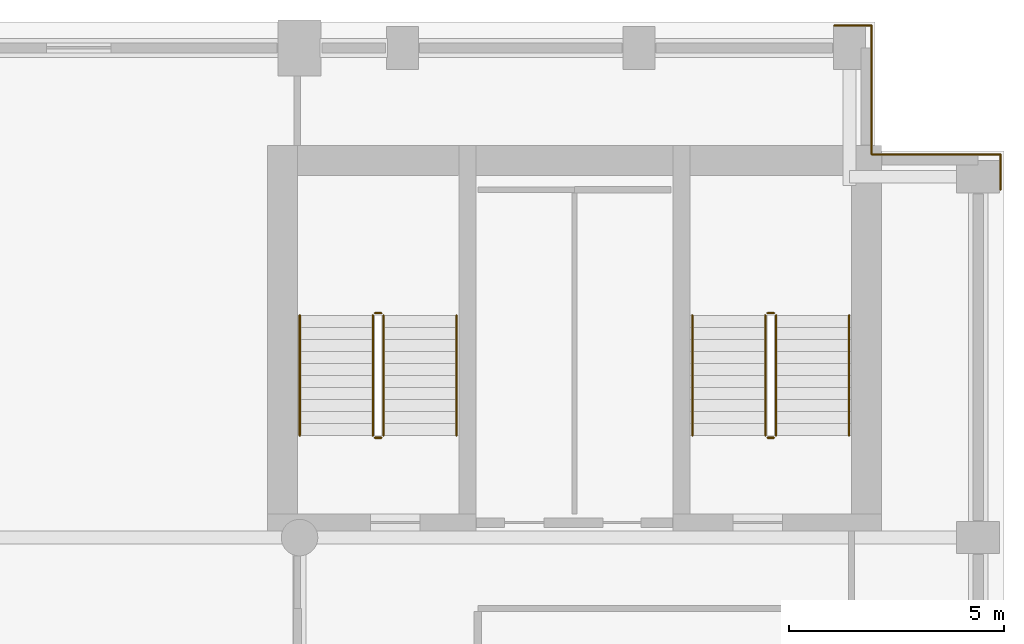
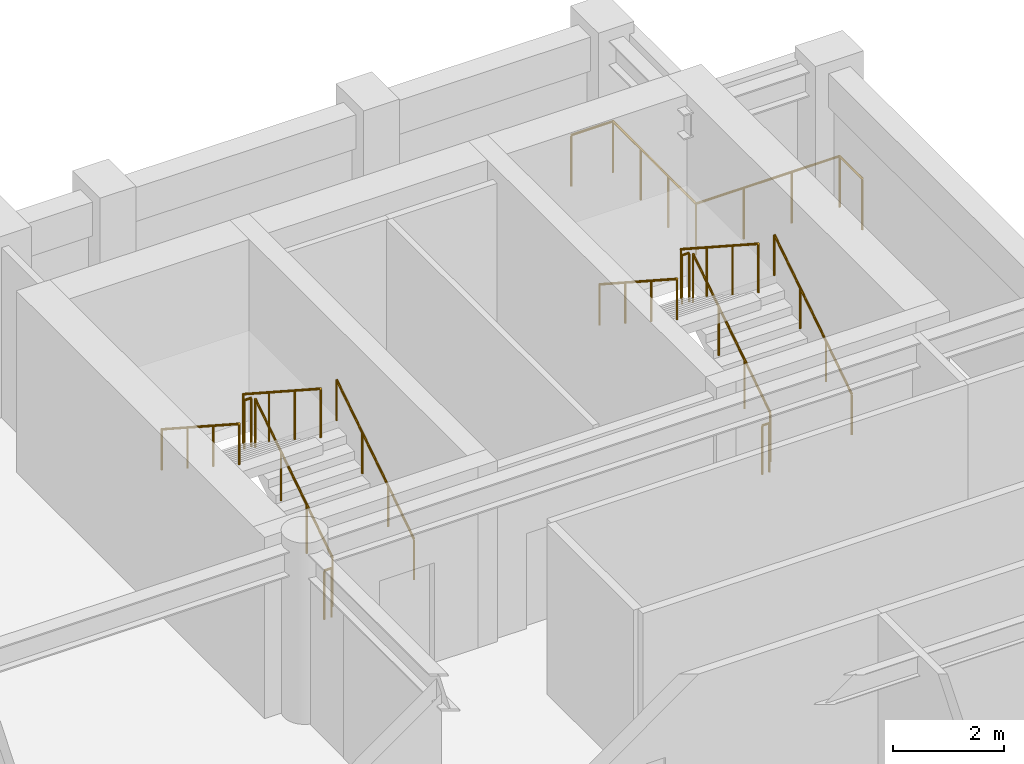
# One storey, part 9 of 9: 16 railings.
"""IFC4 building model written with IfcOpenShell, lengths in metres."""

from ifc_helpers import new_model, si_unit, direction, frame, origin, origin_2d, place, context, subcontext, project, spatial, circle, extrude, material, type_object, element, save


model = new_model("IFC4")

# Units and contexts
model_context = context("Model", 3, precision=1e-05, world=origin(), true_north=direction((0.0, 1.0)))
body_context = subcontext(model_context, "Body", "Model", "MODEL_VIEW")
ifc_project = project(units=[si_unit("LENGTHUNIT", "METRE"), si_unit("AREAUNIT", "SQUARE_METRE"), si_unit("VOLUMEUNIT", "CUBIC_METRE"), si_unit("PLANEANGLEUNIT", "RADIAN"), si_unit("MASSUNIT", "GRAM", prefix="KILO")], contexts=[model_context])

# Site, building, storey
site_placement = place(None, origin())
site = spatial("IfcSite", under=ifc_project, at=site_placement, CompositionType="ELEMENT")
building_placement = place(site_placement, origin())
building = spatial("IfcBuilding", under=site, at=building_placement, Name="Sulina Concourse Tower", CompositionType="ELEMENT")
storey_placement = place(building_placement, frame((0.0, 0.0, 268.60009765625)))
storey = spatial("IfcBuildingStorey", under=building, at=storey_placement, Name="L65", CompositionType="ELEMENT", Elevation=268.60009765625)

# Railings
ifc_material_1 = material(Name="Galvanised steel railing", Category="steel")
railing_type_1 = type_object("IfcRailingType", Name="Core Stair Steel Guardrail 1150mm", PredefinedType="GUARDRAIL", material=ifc_material_1)
railing_1_placement = place(storey_placement, frame((54.050048828125, 45.919921875, 0.0)))
element("IfcRailing", 1, at=railing_1_placement, inside=storey, type_object=railing_type_1, Name="L65 perimeter edge safety guardrail NE1", PredefinedType="GUARDRAIL", context=body_context, shape_type="SweptSolid", body=[
    extrude(circle(Radius=0.02392578125, at=origin_2d()), frame((0.0, 0.0, 1.1259765625), z_axis=(1.0, 0.0, 0.0), x_axis=(0.0, 1.0, 0.0)), (0.0, 0.0, 1.0), 0.869873046875),
    extrude(circle(Radius=0.02099609375, at=origin_2d()), origin(), (0.0, 0.0, 1.0), 1.101806640625),
    extrude(circle(Radius=0.02099609375, at=origin_2d()), frame((0.869873046875, 0.0, 0.0)), (0.0, 0.0, 1.0), 1.101806640625),
])
railing_2_placement = place(storey_placement, frame((54.919921875, 45.919921875, 0.0)))
element("IfcRailing", 2, at=railing_2_placement, inside=storey, type_object=railing_type_1, Name="L65 perimeter edge safety guardrail NE2", PredefinedType="GUARDRAIL", context=body_context, shape_type="SweptSolid", body=[
    extrude(circle(Radius=0.02392578125, at=origin_2d()), frame((0.0, 0.0, 1.1259765625), z_axis=(0.0, -1.0, 0.0), x_axis=(1.0, 0.0, 0.0)), (0.0, 0.0, 1.0), 3.0),
    extrude(circle(Radius=0.02099609375, at=origin_2d()), origin(), (0.0, 0.0, 1.0), 1.101806640625),
    extrude(circle(Radius=0.02099609375, at=origin_2d()), frame((0.0, -1.0, 0.0)), (0.0, 0.0, 1.0), 1.101806640625),
    extrude(circle(Radius=0.02099609375, at=origin_2d()), frame((0.0, -2.0, 0.0)), (0.0, 0.0, 1.0), 1.101806640625),
    extrude(circle(Radius=0.02099609375, at=origin_2d()), frame((0.0, -3.0, 0.0)), (0.0, 0.0, 1.0), 1.101806640625),
])
railing_3_placement = place(storey_placement, frame((54.919921875, 42.919921875, 0.0)))
element("IfcRailing", 3, at=railing_3_placement, inside=storey, type_object=railing_type_1, Name="L65 perimeter edge safety guardrail NE3", PredefinedType="GUARDRAIL", context=body_context, shape_type="SweptSolid", body=[
    extrude(circle(Radius=0.02392578125, at=origin_2d()), frame((0.0, 0.0, 1.1259765625), z_axis=(1.0, 0.0, 0.0), x_axis=(0.0, 1.0, 0.0)), (0.0, 0.0, 1.0), 3.0),
    extrude(circle(Radius=0.02099609375, at=origin_2d()), origin(), (0.0, 0.0, 1.0), 1.101806640625),
    extrude(circle(Radius=0.02099609375, at=origin_2d()), frame((1.0, 0.0, 0.0)), (0.0, 0.0, 1.0), 1.101806640625),
    extrude(circle(Radius=0.02099609375, at=origin_2d()), frame((2.0, 0.0, 0.0)), (0.0, 0.0, 1.0), 1.101806640625),
    extrude(circle(Radius=0.02099609375, at=origin_2d()), frame((3.0, 0.0, 0.0)), (0.0, 0.0, 1.0), 1.101806640625),
])
railing_4_placement = place(storey_placement, frame((57.919921875, 42.919921875, 0.0)))
element("IfcRailing", 4, at=railing_4_placement, inside=storey, type_object=railing_type_1, Name="L65 perimeter edge safety guardrail NE4", PredefinedType="GUARDRAIL", context=body_context, shape_type="SweptSolid", body=[
    extrude(circle(Radius=0.02392578125, at=origin_2d()), frame((0.0, 0.0, 1.1259765625), z_axis=(0.0, -1.0, 0.0), x_axis=(1.0, 0.0, 0.0)), (0.0, 0.0, 1.0), 0.81982421875),
    extrude(circle(Radius=0.02099609375, at=origin_2d()), origin(), (0.0, 0.0, 1.0), 1.101806640625),
    extrude(circle(Radius=0.02099609375, at=origin_2d()), frame((0.0, -0.81982421875, 0.0)), (0.0, 0.0, 1.0), 1.101806640625),
])
railing_5_placement = place(storey_placement, frame((43.554931640625, 36.375, 0.181640625)))
element("IfcRailing", 5, at=railing_5_placement, inside=storey, type_object=railing_type_1, Name="L65 ST-3 stair guard 1", PredefinedType="GUARDRAIL", context=body_context, shape_type="SweptSolid", body=[
    extrude(circle(Radius=0.02392578125, at=origin_2d()), frame((0.0, 0.0, 1.076171875), z_axis=(0.0, 0.838672427954, 0.544636170843), x_axis=(-1.0, 0.0, 0.0)), (0.0, 0.0, 1.0), 3.338623046875),
    extrude(circle(Radius=0.02099609375, at=origin_2d()), origin(), (0.0, 0.0, 1.0), 1.052001953125),
    extrude(circle(Radius=0.02099609375, at=origin_2d()), frame((0.0, 0.933349609375, 0.606201171875)), (0.0, 0.0, 1.0), 1.052001953125),
    extrude(circle(Radius=0.02099609375, at=origin_2d()), frame((0.0, 1.86669921875, 1.212158203125)), (0.0, 0.0, 1.0), 1.052001953125),
    extrude(circle(Radius=0.02099609375, at=origin_2d()), frame((0.0, 2.800048828125, 1.818359375)), (0.0, 0.0, 1.0), 1.052001953125),
])
railing_6_placement = place(storey_placement, frame((43.5048828125, 39.22509765625, 2.0)))
element("IfcRailing", 6, at=railing_6_placement, inside=storey, type_object=railing_type_1, Name="L65 ST-3 stair guard 2", PredefinedType="GUARDRAIL", context=body_context, shape_type="SweptSolid", body=[
    extrude(circle(Radius=0.02392578125, at=origin_2d()), frame((0.0, 0.0, 1.076171875), z_axis=(-1.0, 0.0, 0.0), x_axis=(0.0, -1.0, 0.0)), (0.0, 0.0, 1.0), 0.14990234375),
    extrude(circle(Radius=0.02099609375, at=origin_2d()), origin(), (0.0, 0.0, 1.0), 1.052001953125),
    extrude(circle(Radius=0.02099609375, at=origin_2d()), frame((-0.14990234375, 0.0, 0.0)), (0.0, 0.0, 1.0), 1.052001953125),
])
railing_7_placement = place(storey_placement, frame((43.304931640625, 39.175048828125, 2.181640625)))
element("IfcRailing", 7, at=railing_7_placement, inside=storey, type_object=railing_type_1, Name="L65 ST-3 stair guard 3", PredefinedType="GUARDRAIL", context=body_context, shape_type="SweptSolid", body=[
    extrude(circle(Radius=0.02392578125, at=origin_2d()), frame((0.0, 0.0, 1.076171875), z_axis=(0.0, -0.838672427954, 0.544636170843), x_axis=(1.0, 0.0, 0.0)), (0.0, 0.0, 1.0), 3.338623046875),
    extrude(circle(Radius=0.02099609375, at=origin_2d()), origin(), (0.0, 0.0, 1.0), 1.052001953125),
    extrude(circle(Radius=0.02099609375, at=origin_2d()), frame((0.0, -0.933349609375, 0.606201171875)), (0.0, 0.0, 1.0), 1.052001953125),
    extrude(circle(Radius=0.02099609375, at=origin_2d()), frame((0.0, -1.86669921875, 1.212158203125)), (0.0, 0.0, 1.0), 1.052001953125),
    extrude(circle(Radius=0.02099609375, at=origin_2d()), frame((0.0, -2.800048828125, 1.818359375)), (0.0, 0.0, 1.0), 1.052001953125),
])
railing_8_placement = place(storey_placement, frame((43.5048828125, 36.324951171875, 0.0)))
element("IfcRailing", 8, at=railing_8_placement, inside=storey, type_object=railing_type_1, Name="L65 ST-3 stair guard 4", PredefinedType="GUARDRAIL", context=body_context, shape_type="SweptSolid", body=[
    extrude(circle(Radius=0.02392578125, at=origin_2d()), frame((0.0, 0.0, 1.076171875), z_axis=(-1.0, 0.0, 0.0), x_axis=(0.0, -1.0, 0.0)), (0.0, 0.0, 1.0), 0.14990234375),
    extrude(circle(Radius=0.02099609375, at=origin_2d()), origin(), (0.0, 0.0, 1.0), 1.052001953125),
    extrude(circle(Radius=0.02099609375, at=origin_2d()), frame((-0.14990234375, 0.0, 0.0)), (0.0, 0.0, 1.0), 1.052001953125),
])
railing_9_placement = place(storey_placement, frame((52.695068359375, 36.375, 0.181640625)))
element("IfcRailing", 9, at=railing_9_placement, inside=storey, type_object=railing_type_1, Name="L65 ST-4 stair guard 1", PredefinedType="GUARDRAIL", context=body_context, shape_type="SweptSolid", body=[
    extrude(circle(Radius=0.02392578125, at=origin_2d()), frame((0.0, 0.0, 1.076171875), z_axis=(0.0, 0.838672427954, 0.544636170843), x_axis=(-1.0, 0.0, 0.0)), (0.0, 0.0, 1.0), 3.338623046875),
    extrude(circle(Radius=0.02099609375, at=origin_2d()), origin(), (0.0, 0.0, 1.0), 1.052001953125),
    extrude(circle(Radius=0.02099609375, at=origin_2d()), frame((0.0, 0.933349609375, 0.606201171875)), (0.0, 0.0, 1.0), 1.052001953125),
    extrude(circle(Radius=0.02099609375, at=origin_2d()), frame((0.0, 1.86669921875, 1.212158203125)), (0.0, 0.0, 1.0), 1.052001953125),
    extrude(circle(Radius=0.02099609375, at=origin_2d()), frame((0.0, 2.800048828125, 1.818359375)), (0.0, 0.0, 1.0), 1.052001953125),
])
railing_10_placement = place(storey_placement, frame((52.64501953125, 39.22509765625, 2.0)))
element("IfcRailing", 10, at=railing_10_placement, inside=storey, type_object=railing_type_1, Name="L65 ST-4 stair guard 2", PredefinedType="GUARDRAIL", context=body_context, shape_type="SweptSolid", body=[
    extrude(circle(Radius=0.02392578125, at=origin_2d()), frame((0.0, 0.0, 1.076171875), z_axis=(-1.0, 0.0, 0.0), x_axis=(0.0, -1.0, 0.0)), (0.0, 0.0, 1.0), 0.14990234375),
    extrude(circle(Radius=0.02099609375, at=origin_2d()), origin(), (0.0, 0.0, 1.0), 1.052001953125),
    extrude(circle(Radius=0.02099609375, at=origin_2d()), frame((-0.14990234375, 0.0, 0.0)), (0.0, 0.0, 1.0), 1.052001953125),
])
railing_11_placement = place(storey_placement, frame((52.445068359375, 39.175048828125, 2.181640625)))
element("IfcRailing", 11, at=railing_11_placement, inside=storey, type_object=railing_type_1, Name="L65 ST-4 stair guard 3", PredefinedType="GUARDRAIL", context=body_context, shape_type="SweptSolid", body=[
    extrude(circle(Radius=0.02392578125, at=origin_2d()), frame((0.0, 0.0, 1.076171875), z_axis=(0.0, -0.838672427954, 0.544636170843), x_axis=(1.0, 0.0, 0.0)), (0.0, 0.0, 1.0), 3.338623046875),
    extrude(circle(Radius=0.02099609375, at=origin_2d()), origin(), (0.0, 0.0, 1.0), 1.052001953125),
    extrude(circle(Radius=0.02099609375, at=origin_2d()), frame((0.0, -0.933349609375, 0.606201171875)), (0.0, 0.0, 1.0), 1.052001953125),
    extrude(circle(Radius=0.02099609375, at=origin_2d()), frame((0.0, -1.86669921875, 1.212158203125)), (0.0, 0.0, 1.0), 1.052001953125),
    extrude(circle(Radius=0.02099609375, at=origin_2d()), frame((0.0, -2.800048828125, 1.818359375)), (0.0, 0.0, 1.0), 1.052001953125),
])
railing_12_placement = place(storey_placement, frame((52.64501953125, 36.324951171875, 0.0)))
element("IfcRailing", 12, at=railing_12_placement, inside=storey, type_object=railing_type_1, Name="L65 ST-4 stair guard 4", PredefinedType="GUARDRAIL", context=body_context, shape_type="SweptSolid", body=[
    extrude(circle(Radius=0.02392578125, at=origin_2d()), frame((0.0, 0.0, 1.076171875), z_axis=(-1.0, 0.0, 0.0), x_axis=(0.0, -1.0, 0.0)), (0.0, 0.0, 1.0), 0.14990234375),
    extrude(circle(Radius=0.02099609375, at=origin_2d()), origin(), (0.0, 0.0, 1.0), 1.052001953125),
    extrude(circle(Radius=0.02099609375, at=origin_2d()), frame((-0.14990234375, 0.0, 0.0)), (0.0, 0.0, 1.0), 1.052001953125),
])
ifc_material_2 = material(Name="Galvanised steel railing", Category="steel")
railing_type_2 = type_object("IfcRailingType", Name="Stair Wall Steel Handrail 920mm", PredefinedType="HANDRAIL", material=ifc_material_2)
railing_13_placement = place(storey_placement, frame((45.2548828125, 36.375, 0.181640625)))
element("IfcRailing", 13, at=railing_13_placement, inside=storey, type_object=railing_type_2, Name="L65 ST-3 stair handrail 1", PredefinedType="HANDRAIL", context=body_context, shape_type="SweptSolid", body=[
    extrude(circle(Radius=0.02392578125, at=origin_2d()), frame((0.0, 0.0, 0.89599609375), z_axis=(0.0, 0.838672427954, 0.544636170843), x_axis=(-1.0, 0.0, 0.0)), (0.0, 0.0, 1.0), 3.338623046875),
    extrude(circle(Radius=0.02099609375, at=origin_2d()), origin(), (0.0, 0.0, 1.0), 0.871826171875),
    extrude(circle(Radius=0.02099609375, at=origin_2d()), frame((0.0, 0.933349609375, 0.606201171875)), (0.0, 0.0, 1.0), 0.871826171875),
    extrude(circle(Radius=0.02099609375, at=origin_2d()), frame((0.0, 1.86669921875, 1.212158203125)), (0.0, 0.0, 1.0), 0.871826171875),
    extrude(circle(Radius=0.02099609375, at=origin_2d()), frame((0.0, 2.800048828125, 1.818359375)), (0.0, 0.0, 1.0), 0.871826171875),
])
railing_14_placement = place(storey_placement, frame((41.60498046875, 39.175048828125, 2.181640625)))
element("IfcRailing", 14, at=railing_14_placement, inside=storey, type_object=railing_type_2, Name="L65 ST-3 stair handrail 2", PredefinedType="HANDRAIL", context=body_context, shape_type="SweptSolid", body=[
    extrude(circle(Radius=0.02392578125, at=origin_2d()), frame((0.0, 0.0, 0.89599609375), z_axis=(0.0, -0.838672427954, 0.544636170843), x_axis=(1.0, 0.0, 0.0)), (0.0, 0.0, 1.0), 3.338623046875),
    extrude(circle(Radius=0.02099609375, at=origin_2d()), origin(), (0.0, 0.0, 1.0), 0.871826171875),
    extrude(circle(Radius=0.02099609375, at=origin_2d()), frame((0.0, -0.933349609375, 0.606201171875)), (0.0, 0.0, 1.0), 0.871826171875),
    extrude(circle(Radius=0.02099609375, at=origin_2d()), frame((0.0, -1.86669921875, 1.212158203125)), (0.0, 0.0, 1.0), 0.871826171875),
    extrude(circle(Radius=0.02099609375, at=origin_2d()), frame((0.0, -2.800048828125, 1.818359375)), (0.0, 0.0, 1.0), 0.871826171875),
])
railing_15_placement = place(storey_placement, frame((54.39501953125, 36.375, 0.181640625)))
element("IfcRailing", 15, at=railing_15_placement, inside=storey, type_object=railing_type_2, Name="L65 ST-4 stair handrail 1", PredefinedType="HANDRAIL", context=body_context, shape_type="SweptSolid", body=[
    extrude(circle(Radius=0.02392578125, at=origin_2d()), frame((0.0, 0.0, 0.89599609375), z_axis=(0.0, 0.838672427954, 0.544636170843), x_axis=(-1.0, 0.0, 0.0)), (0.0, 0.0, 1.0), 3.338623046875),
    extrude(circle(Radius=0.02099609375, at=origin_2d()), origin(), (0.0, 0.0, 1.0), 0.871826171875),
    extrude(circle(Radius=0.02099609375, at=origin_2d()), frame((0.0, 0.933349609375, 0.606201171875)), (0.0, 0.0, 1.0), 0.871826171875),
    extrude(circle(Radius=0.02099609375, at=origin_2d()), frame((0.0, 1.86669921875, 1.212158203125)), (0.0, 0.0, 1.0), 0.871826171875),
    extrude(circle(Radius=0.02099609375, at=origin_2d()), frame((0.0, 2.800048828125, 1.818359375)), (0.0, 0.0, 1.0), 0.871826171875),
])
railing_16_placement = place(storey_placement, frame((50.7451171875, 39.175048828125, 2.181640625)))
element("IfcRailing", 16, at=railing_16_placement, inside=storey, type_object=railing_type_2, Name="L65 ST-4 stair handrail 2", PredefinedType="HANDRAIL", context=body_context, shape_type="SweptSolid", body=[
    extrude(circle(Radius=0.02392578125, at=origin_2d()), frame((0.0, 0.0, 0.89599609375), z_axis=(0.0, -0.838672427954, 0.544636170843), x_axis=(1.0, 0.0, 0.0)), (0.0, 0.0, 1.0), 3.338623046875),
    extrude(circle(Radius=0.02099609375, at=origin_2d()), origin(), (0.0, 0.0, 1.0), 0.871826171875),
    extrude(circle(Radius=0.02099609375, at=origin_2d()), frame((0.0, -0.933349609375, 0.606201171875)), (0.0, 0.0, 1.0), 0.871826171875),
    extrude(circle(Radius=0.02099609375, at=origin_2d()), frame((0.0, -1.86669921875, 1.212158203125)), (0.0, 0.0, 1.0), 0.871826171875),
    extrude(circle(Radius=0.02099609375, at=origin_2d()), frame((0.0, -2.800048828125, 1.818359375)), (0.0, 0.0, 1.0), 0.871826171875),
])

save(model, "model.ifc")
